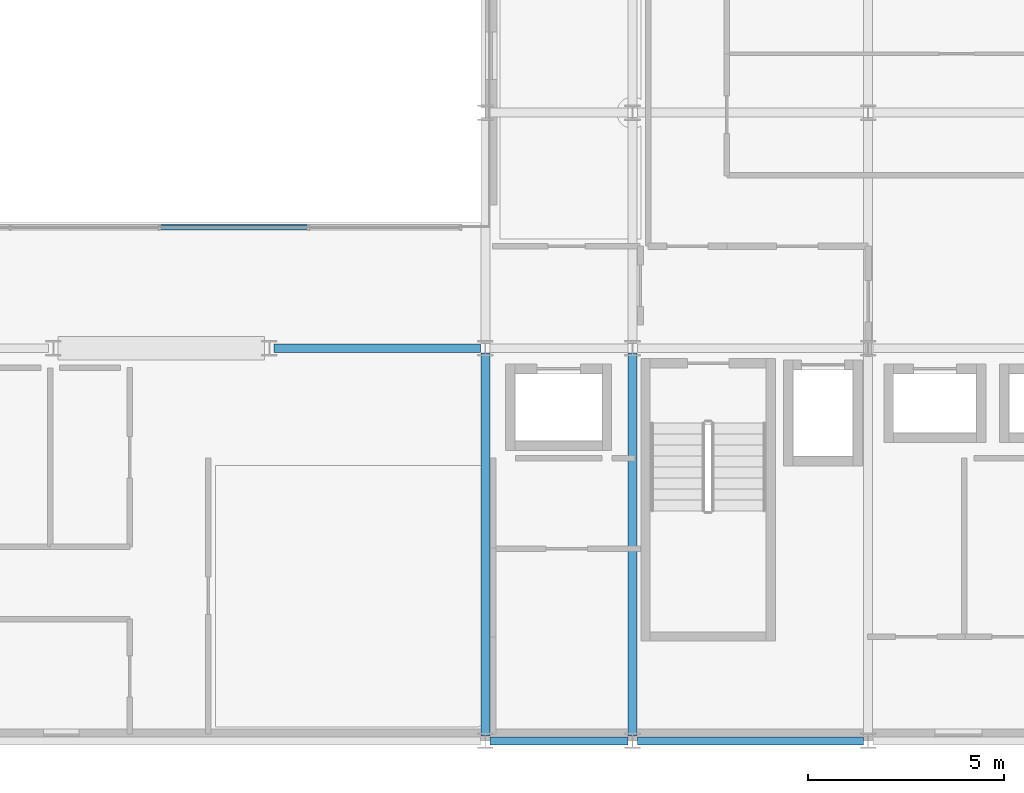
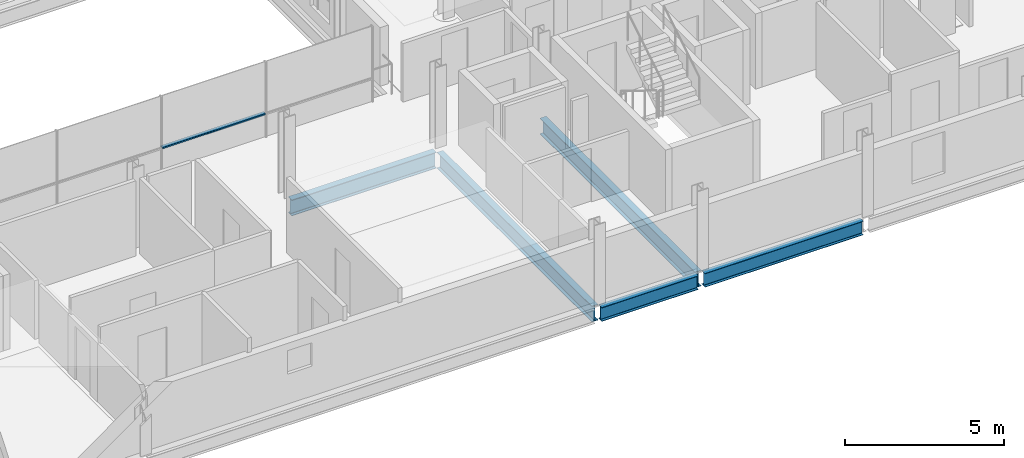
# One storey, part 14 of 38: 5 beams, 1 member, 1 element without a shape of its own.
"""IFC4 building model written with IfcOpenShell, lengths in metres."""

from ifc_helpers import new_model, si_unit, direction, frame, origin, origin_2d, place, context, subcontext, project, spatial, hollow_rectangle, i_section, extrude, material, layer, layer_set, material_profile, profile_set, type_object, element, aggregate, save


model = new_model("IFC4")

# Units and contexts
model_context = context("Model", 3, precision=1e-05, world=origin(), true_north=direction((0.0, 1.0)))
body_context = subcontext(model_context, "Body", "Model", "MODEL_VIEW")
ifc_project = project(units=[si_unit("LENGTHUNIT", "METRE"), si_unit("AREAUNIT", "SQUARE_METRE"), si_unit("VOLUMEUNIT", "CUBIC_METRE"), si_unit("PLANEANGLEUNIT", "RADIAN"), si_unit("MASSUNIT", "GRAM", prefix="KILO")], contexts=[model_context])

# Site, building, storey
site_placement = place(None, origin())
site = spatial("IfcSite", under=ifc_project, at=site_placement, CompositionType="ELEMENT")
building_placement = place(site_placement, origin())
building = spatial("IfcBuilding", under=site, at=building_placement, Name="Brevholm Reach", CompositionType="ELEMENT")
storey_placement = place(building_placement, frame((0.0, 0.0, 172.800048828125)))
storey = spatial("IfcBuildingStorey", under=building, at=storey_placement, Name="L52", CompositionType="ELEMENT", Elevation=172.800048828125)

# Beams
ifc_material_1 = material(Name="Structural Steel S355J2", Category="steel")
ifc_material_profile_1 = material_profile(ifc_material_1, i_section(OverallWidth=0.209228515625, OverallDepth=0.533203125, WebThickness=0.010009765625, FlangeThickness=0.015625, FilletRadius=0.0126953125, at=origin_2d()), Name="UKB 533x210x92")
ifc_profile_set_1 = profile_set([ifc_material_profile_1], Name="Structural Steel S355J2")
beam_type_1 = type_object("IfcBeamType", Name="BM-SP533", PredefinedType="SPANDREL", material=ifc_profile_set_1)
beam_1_placement = place(storey_placement, frame((38.3701171875, 0.0, -0.4765625), z_axis=(1.0, 0.0, 0.0), x_axis=(0.0, 1.0, 0.0)))
element("IfcBeam", 1, at=beam_1_placement, inside=storey, type_object=beam_type_1, Name="L52 SP-02 Framing Beam", PredefinedType="SPANDREL", context=body_context, shape_type="SweptSolid", body=[
    extrude(i_section(OverallWidth=0.209228515625, OverallDepth=0.533203125, WebThickness=0.010009765625, FlangeThickness=0.015625, FilletRadius=0.0126953125, at=origin_2d()), origin(), (0.0, 0.0, 1.0), 3.509765625),
])
beam_2_placement = place(storey_placement, frame((42.1201171875, 0.0, -0.4765625), z_axis=(1.0, 0.0, 0.0), x_axis=(0.0, 1.0, 0.0)))
element("IfcBeam", 2, at=beam_2_placement, inside=storey, type_object=beam_type_1, Name="L52 SP-02 Framing Beam", PredefinedType="SPANDREL", context=body_context, shape_type="SweptSolid", body=[
    extrude(i_section(OverallWidth=0.209228515625, OverallDepth=0.533203125, WebThickness=0.010009765625, FlangeThickness=0.015625, FilletRadius=0.0126953125, at=origin_2d()), origin(), (0.0, 0.0, 1.0), 5.759765625),
])
ifc_material_2 = material(Name="Structural Steel S355J2", Category="steel")
ifc_material_profile_2 = material_profile(ifc_material_2, i_section(OverallWidth=0.22900390625, OverallDepth=0.6123046875, WebThickness=0.011962890625, FlangeThickness=0.01953125, FilletRadius=0.0126953125, at=origin_2d()), Name="UKB 610x229x125")
ifc_profile_set_2 = profile_set([ifc_material_profile_2], Name="Structural Steel S355J2")
beam_type_2 = type_object("IfcBeamType", Name="BM-SP610", PredefinedType="SPANDREL", material=ifc_profile_set_2)
beam_3_placement = place(storey_placement, frame((32.8701171875, 10.0, -0.51611328125), z_axis=(1.0, 0.0, 0.0), x_axis=(0.0, 1.0, 0.0)))
element("IfcBeam", 3, at=beam_3_placement, inside=storey, type_object=beam_type_2, Name="L52 SP-01 Framing Beam", PredefinedType="SPANDREL", context=body_context, shape_type="SweptSolid", body=[
    extrude(i_section(OverallWidth=0.22900390625, OverallDepth=0.6123046875, WebThickness=0.011962890625, FlangeThickness=0.01953125, FilletRadius=0.0126953125, at=origin_2d()), origin(), (0.0, 0.0, 1.0), 5.259765625),
])
for number, where, z_axis, x_axis, name in (
    (4, (38.25, 0.1201171875, -0.51611328125), (0.0, 1.0, 0.0), (-1.0, 0.0, 0.0), "L52 SP-01 Framing Beam"),
    (5, (42.0, 0.1201171875, -0.51611328125), (0.0, 1.0, 0.0), (-1.0, 0.0, 0.0), "L52 SP-01 Framing Beam"),
):
    element("IfcBeam", number, at=place(storey_placement, frame(where, z_axis=z_axis, x_axis=x_axis)), inside=storey, type_object=beam_type_2, Name=name, PredefinedType="SPANDREL", context=body_context, shape_type="SweptSolid", body=[
        extrude(i_section(OverallWidth=0.22900390625, OverallDepth=0.6123046875, WebThickness=0.011962890625, FlangeThickness=0.01953125, FilletRadius=0.0126953125, at=origin_2d()), origin(), (0.0, 0.0, 1.0), 9.759765625),
    ])

# Curtain wall, member
ifc_material_3 = material(Name="Dark Anodised Aluminium 6063-T6 and Solar-Control Glass", Category="aluminium")
ifc_layer = layer(ifc_material_3, 0.139892578125)
ifc_layer_set = layer_set([ifc_layer], Name="Dark Anodised Aluminium 6063-T6 and Solar-Control Glass")
curtain_wall_type = type_object("IfcCurtainWallType", Name="CW-02", PredefinedType="NOTDEFINED", material=ifc_layer_set)
curtain_wall_placement = place(storey_placement, origin())
curtain_wall = element("IfcCurtainWall", 6, at=curtain_wall_placement, inside=storey, type_object=curtain_wall_type, Name="L52 Curtain Wall CW-02", PredefinedType="NOTDEFINED")
ifc_material_4 = material(Name="Dark Anodised Aluminium 6063-T6", Category="aluminium")
ifc_material_profile_3 = material_profile(ifc_material_4, hollow_rectangle(XDim=0.06005859375, YDim=0.139892578125, WallThickness=0.0048828125, InnerFilletRadius=0.0048828125, OuterFilletRadius=0.010009765625, at=origin_2d()), Name="RHS 140x60x5")
ifc_profile_set_3 = profile_set([ifc_material_profile_3], Name="Dark Anodised Aluminium 6063-T6")
member_type = type_object("IfcMemberType", Name="CWT-140", PredefinedType="NOTDEFINED", material=ifc_profile_set_3)
member_placement = place(storey_placement, frame((29.97998046875, 13.080078125, 0.89990234375), z_axis=(1.0, 0.0, 0.0), x_axis=(0.0, 0.0, 1.0)))
member = element("IfcMember", 7, at=member_placement, type_object=member_type, Name="CT-140 Transom 3.1", ObjectType="TRANSOM", PredefinedType="USERDEFINED", context=body_context, shape_type="SweptSolid", body=[
    extrude(hollow_rectangle(XDim=0.06005859375, YDim=0.139892578125, WallThickness=0.0048828125, InnerFilletRadius=0.0048828125, OuterFilletRadius=0.010009765625, at=origin_2d()), origin(), (0.0, 0.0, 1.0), 3.739990234375),
])
aggregate(curtain_wall, [member])

save(model, "model.ifc")
